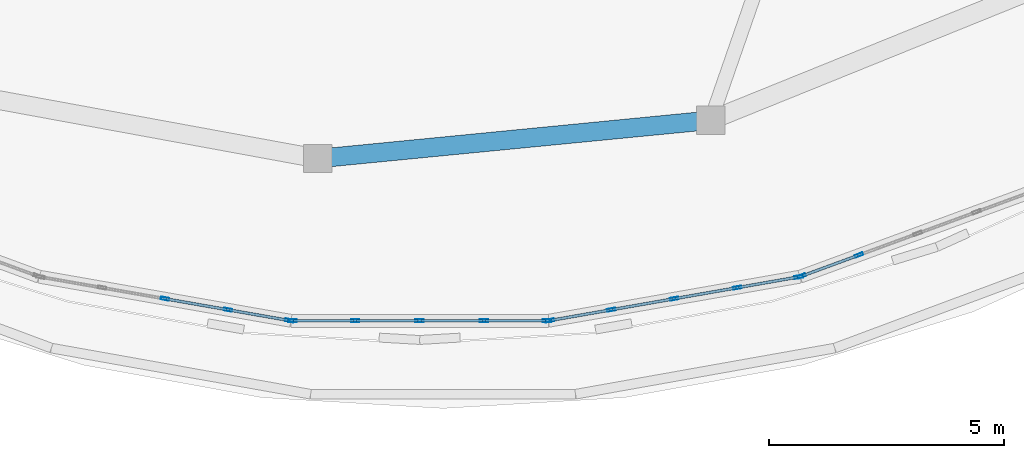
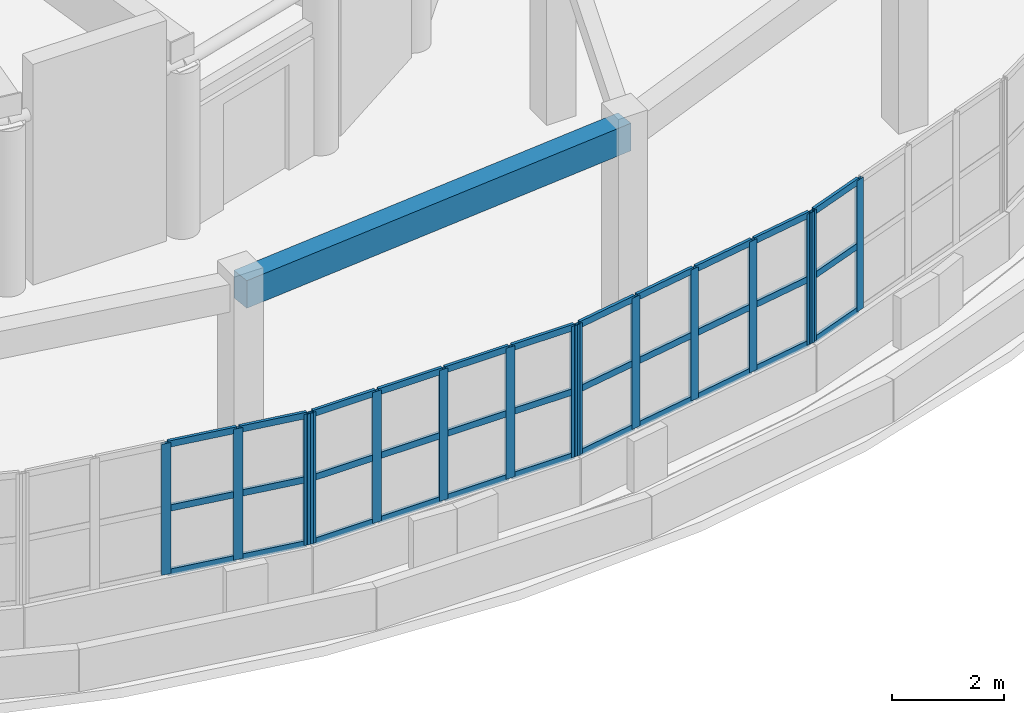
# One storey, part 13 of 69: 48 members, 1 beam, 4 elements without a shape of their own.
"""IFC4 building model written with IfcOpenShell, lengths in metres."""

from ifc_helpers import new_model, si_unit, direction, frame, origin, origin_2d, place, context, subcontext, project, spatial, rectangle, hollow_rectangle, extrude, material, layer, layer_set, material_profile, profile_set, type_object, element, aggregate, save


model = new_model("IFC4")

# Units and contexts
model_context = context("Model", 3, precision=1e-05, world=origin(), true_north=direction((0.0, 1.0)))
body_context = subcontext(model_context, "Body", "Model", "MODEL_VIEW")
ifc_project = project(units=[si_unit("LENGTHUNIT", "METRE"), si_unit("AREAUNIT", "SQUARE_METRE"), si_unit("VOLUMEUNIT", "CUBIC_METRE"), si_unit("PLANEANGLEUNIT", "RADIAN"), si_unit("MASSUNIT", "GRAM", prefix="KILO")], contexts=[model_context])

# Site, building, storey
site_placement = place(None, origin())
site = spatial("IfcSite", under=ifc_project, at=site_placement, CompositionType="ELEMENT")
building_placement = place(site_placement, origin())
building = spatial("IfcBuilding", under=site, at=building_placement, Name="Pelvatis Terrace Science Centre", CompositionType="ELEMENT")
storey_placement = place(building_placement, frame((0.0, 0.0, 15.0)))
storey = spatial("IfcBuildingStorey", under=building, at=storey_placement, Name="L03", CompositionType="ELEMENT", Elevation=15.0)

# Beam
ifc_material_1 = material(Name="Concrete C35/45", Category="concrete")
ifc_material_profile_1 = material_profile(ifc_material_1, rectangle(XDim=0.39990234375, YDim=0.60009765625, at=origin_2d()), Name="RC-BM 400x600")
ifc_profile_set_1 = profile_set([ifc_material_profile_1], Name="Concrete C35/45")
beam_type = type_object("IfcBeamType", Name="BM-RC-400x600", PredefinedType="BEAM", material=ifc_profile_set_1)
beam_placement = place(storey_placement, frame((107.92822265625, 65.926513671875, 4.25), z_axis=(0.995278325495, 0.097062118249, 0.0), x_axis=(-0.097062118249, 0.995278325495, 0.0)))
element("IfcBeam", 1, at=beam_placement, inside=storey, type_object=beam_type, Name="Beam BM-L03-3031", PredefinedType="BEAM", context=body_context, shape_type="SweptSolid", body=[
    extrude(rectangle(XDim=0.39990234375, YDim=0.60009765625, at=origin_2d()), origin(), (0.0, 0.0, 1.0), 8.416259765625),
])

# Curtain wall, members
ifc_material_2 = material(Name="Bronze-anodised aluminium and laminated glass", Category="aluminium")
ifc_layer = layer(ifc_material_2, 0.179931640625)
ifc_layer_set = layer_set([ifc_layer], Name="Bronze-anodised aluminium and laminated glass")
curtain_wall_type = type_object("IfcCurtainWallType", Name="CW-RIBBON-A", PredefinedType="NOTDEFINED", material=ifc_layer_set)
curtain_wall_1_placement = place(storey_placement, origin())
curtain_wall_1 = element("IfcCurtainWall", 2, at=curtain_wall_1_placement, inside=storey, type_object=curtain_wall_type, Name="Ribbon curtain wall CW-204 (L03)", PredefinedType="NOTDEFINED")
ifc_material_3 = material(Name="Bronze-anodised aluminium 6063-T6", Category="aluminium")
ifc_material_profile_2 = material_profile(ifc_material_3, hollow_rectangle(XDim=0.06005859375, YDim=0.179931640625, WallThickness=0.00390625, at=origin_2d()), Name="ALU-MUL 60x180")
ifc_profile_set_2 = profile_set([ifc_material_profile_2], Name="Bronze-anodised aluminium 6063-T6")
member_type_1 = type_object("IfcMemberType", Name="CWM-60x180", PredefinedType="MULLION", material=ifc_profile_set_2)
member_1_placement = place(storey_placement, frame((104.672119140625, 62.939208984375, 1.02001953125), z_axis=(0.0, 0.0, 1.0), x_axis=(0.172671428067, 0.984979480969, 0.0)))
member_1 = element("IfcMember", 3, at=member_1_placement, type_object=member_type_1, Name="CW-204 mullion 3", PredefinedType="MULLION", context=body_context, shape_type="SweptSolid", body=[
    extrude(hollow_rectangle(XDim=0.06005859375, YDim=0.179931640625, WallThickness=0.00390625, at=origin_2d()), origin(), (0.0, 0.0, 1.0), 2.85009765625),
])
member_2_placement = place(storey_placement, frame((106.01416015625, 62.703857421875, 1.02001953125), z_axis=(0.0, 0.0, 1.0), x_axis=(0.172671428067, 0.984979480969, 0.0)))
member_2 = element("IfcMember", 4, at=member_2_placement, type_object=member_type_1, Name="CW-204 mullion 4", PredefinedType="MULLION", context=body_context, shape_type="SweptSolid", body=[
    extrude(hollow_rectangle(XDim=0.06005859375, YDim=0.179931640625, WallThickness=0.00390625, at=origin_2d()), origin(), (0.0, 0.0, 1.0), 2.85009765625),
])
member_3_placement = place(storey_placement, frame((107.32666015625, 62.473876953125, 1.02001953125), z_axis=(0.0, 0.0, 1.0), x_axis=(0.172671428067, 0.984979480969, 0.0)))
member_3 = element("IfcMember", 5, at=member_3_placement, type_object=member_type_1, Name="CW-204 mullion 5", PredefinedType="MULLION", context=body_context, shape_type="SweptSolid", body=[
    extrude(hollow_rectangle(XDim=0.06005859375, YDim=0.179931640625, WallThickness=0.00390625, at=origin_2d()), origin(), (0.0, 0.0, 1.0), 2.85009765625),
])

curtain_wall_2_placement = place(storey_placement, origin())
curtain_wall_2 = element("IfcCurtainWall", 6, at=curtain_wall_2_placement, inside=storey, type_object=curtain_wall_type, Name="Ribbon curtain wall CW-205 (L03)", PredefinedType="NOTDEFINED")
member_4_placement = place(storey_placement, frame((107.385986328125, 62.468505859375, 1.02001953125), z_axis=(0.0, 0.0, 1.0), x_axis=(0.0, 1.0, 0.0)))
member_4 = element("IfcMember", 7, at=member_4_placement, type_object=member_type_1, Name="CW-205 mullion 1", PredefinedType="MULLION", context=body_context, shape_type="SweptSolid", body=[
    extrude(hollow_rectangle(XDim=0.06005859375, YDim=0.179931640625, WallThickness=0.00390625, at=origin_2d()), origin(), (0.0, 0.0, 1.0), 2.85009765625),
])
member_5_placement = place(storey_placement, frame((108.72802734375, 62.468505859375, 1.02001953125), z_axis=(0.0, 0.0, 1.0), x_axis=(0.0, 1.0, 0.0)))
member_5 = element("IfcMember", 8, at=member_5_placement, type_object=member_type_1, Name="CW-205 mullion 2", PredefinedType="MULLION", context=body_context, shape_type="SweptSolid", body=[
    extrude(hollow_rectangle(XDim=0.06005859375, YDim=0.179931640625, WallThickness=0.00390625, at=origin_2d()), origin(), (0.0, 0.0, 1.0), 2.85009765625),
])
member_6_placement = place(storey_placement, frame((110.10009765625, 62.468505859375, 1.02001953125), z_axis=(0.0, 0.0, 1.0), x_axis=(0.0, 1.0, 0.0)))
member_6 = element("IfcMember", 9, at=member_6_placement, type_object=member_type_1, Name="CW-205 mullion 3", PredefinedType="MULLION", context=body_context, shape_type="SweptSolid", body=[
    extrude(hollow_rectangle(XDim=0.06005859375, YDim=0.179931640625, WallThickness=0.00390625, at=origin_2d()), origin(), (0.0, 0.0, 1.0), 2.85009765625),
])
member_7_placement = place(storey_placement, frame((111.471923828125, 62.468505859375, 1.02001953125), z_axis=(0.0, 0.0, 1.0), x_axis=(0.0, 1.0, 0.0)))
member_7 = element("IfcMember", 10, at=member_7_placement, type_object=member_type_1, Name="CW-205 mullion 4", PredefinedType="MULLION", context=body_context, shape_type="SweptSolid", body=[
    extrude(hollow_rectangle(XDim=0.06005859375, YDim=0.179931640625, WallThickness=0.00390625, at=origin_2d()), origin(), (0.0, 0.0, 1.0), 2.85009765625),
])
member_8_placement = place(storey_placement, frame((112.81396484375, 62.468505859375, 1.02001953125), z_axis=(0.0, 0.0, 1.0), x_axis=(0.0, 1.0, 0.0)))
member_8 = element("IfcMember", 11, at=member_8_placement, type_object=member_type_1, Name="CW-205 mullion 5", PredefinedType="MULLION", context=body_context, shape_type="SweptSolid", body=[
    extrude(hollow_rectangle(XDim=0.06005859375, YDim=0.179931640625, WallThickness=0.00390625, at=origin_2d()), origin(), (0.0, 0.0, 1.0), 2.85009765625),
])

curtain_wall_3_placement = place(storey_placement, origin())
curtain_wall_3 = element("IfcCurtainWall", 12, at=curtain_wall_3_placement, inside=storey, type_object=curtain_wall_type, Name="Ribbon curtain wall CW-206 (L03)", PredefinedType="NOTDEFINED")
member_9_placement = place(storey_placement, frame((112.87353515625, 62.473876953125, 1.02001953125), z_axis=(0.0, 0.0, 1.0), x_axis=(-0.172671428067, 0.984979480969, 0.0)))
member_9 = element("IfcMember", 13, at=member_9_placement, type_object=member_type_1, Name="CW-206 mullion 1", PredefinedType="MULLION", context=body_context, shape_type="SweptSolid", body=[
    extrude(hollow_rectangle(XDim=0.06005859375, YDim=0.179931640625, WallThickness=0.00390625, at=origin_2d()), origin(), (0.0, 0.0, 1.0), 2.85009765625),
])
member_10_placement = place(storey_placement, frame((114.185791015625, 62.703857421875, 1.02001953125), z_axis=(0.0, 0.0, 1.0), x_axis=(-0.172671428067, 0.984979480969, 0.0)))
member_10 = element("IfcMember", 14, at=member_10_placement, type_object=member_type_1, Name="CW-206 mullion 2", PredefinedType="MULLION", context=body_context, shape_type="SweptSolid", body=[
    extrude(hollow_rectangle(XDim=0.06005859375, YDim=0.179931640625, WallThickness=0.00390625, at=origin_2d()), origin(), (0.0, 0.0, 1.0), 2.85009765625),
])
member_11_placement = place(storey_placement, frame((115.52783203125, 62.939208984375, 1.02001953125), z_axis=(0.0, 0.0, 1.0), x_axis=(-0.172671428067, 0.984979480969, 0.0)))
member_11 = element("IfcMember", 15, at=member_11_placement, type_object=member_type_1, Name="CW-206 mullion 3", PredefinedType="MULLION", context=body_context, shape_type="SweptSolid", body=[
    extrude(hollow_rectangle(XDim=0.06005859375, YDim=0.179931640625, WallThickness=0.00390625, at=origin_2d()), origin(), (0.0, 0.0, 1.0), 2.85009765625),
])
member_12_placement = place(storey_placement, frame((116.86962890625, 63.17431640625, 1.02001953125), z_axis=(0.0, 0.0, 1.0), x_axis=(-0.172671428067, 0.984979480969, 0.0)))
member_12 = element("IfcMember", 16, at=member_12_placement, type_object=member_type_1, Name="CW-206 mullion 4", PredefinedType="MULLION", context=body_context, shape_type="SweptSolid", body=[
    extrude(hollow_rectangle(XDim=0.06005859375, YDim=0.179931640625, WallThickness=0.00390625, at=origin_2d()), origin(), (0.0, 0.0, 1.0), 2.85009765625),
])
member_13_placement = place(storey_placement, frame((118.18212890625, 63.404541015625, 1.02001953125), z_axis=(0.0, 0.0, 1.0), x_axis=(-0.172671428067, 0.984979480969, 0.0)))
member_13 = element("IfcMember", 17, at=member_13_placement, type_object=member_type_1, Name="CW-206 mullion 5", PredefinedType="MULLION", context=body_context, shape_type="SweptSolid", body=[
    extrude(hollow_rectangle(XDim=0.06005859375, YDim=0.179931640625, WallThickness=0.00390625, at=origin_2d()), origin(), (0.0, 0.0, 1.0), 2.85009765625),
])

curtain_wall_4_placement = place(storey_placement, origin())
curtain_wall_4 = element("IfcCurtainWall", 18, at=curtain_wall_4_placement, inside=storey, type_object=curtain_wall_type, Name="Ribbon curtain wall CW-207 (L03)", PredefinedType="NOTDEFINED")
member_14_placement = place(storey_placement, frame((118.23974609375, 63.419921875, 1.02001953125), z_axis=(0.0, 0.0, 1.0), x_axis=(-0.34471510549, 0.938707353783, 0.0)))
member_14 = element("IfcMember", 19, at=member_14_placement, type_object=member_type_1, Name="CW-207 mullion 1", PredefinedType="MULLION", context=body_context, shape_type="SweptSolid", body=[
    extrude(hollow_rectangle(XDim=0.06005859375, YDim=0.179931640625, WallThickness=0.00390625, at=origin_2d()), origin(), (0.0, 0.0, 1.0), 2.85009765625),
])
member_15_placement = place(storey_placement, frame((119.465087890625, 63.869873046875, 1.02001953125), z_axis=(0.0, 0.0, 1.0), x_axis=(-0.34471510549, 0.938707353783, 0.0)))
member_15 = element("IfcMember", 20, at=member_15_placement, type_object=member_type_1, Name="CW-207 mullion 2", PredefinedType="MULLION", context=body_context, shape_type="SweptSolid", body=[
    extrude(hollow_rectangle(XDim=0.06005859375, YDim=0.179931640625, WallThickness=0.00390625, at=origin_2d()), origin(), (0.0, 0.0, 1.0), 2.85009765625),
])

# Member
ifc_material_4 = material(Name="Bronze-anodised aluminium 6063-T6", Category="aluminium")
ifc_material_profile_3 = material_profile(ifc_material_4, hollow_rectangle(XDim=0.06005859375, YDim=0.139892578125, WallThickness=0.00390625, at=origin_2d()), Name="ALU-TRN 60x140")
ifc_profile_set_3 = profile_set([ifc_material_profile_3], Name="Bronze-anodised aluminium 6063-T6")
member_type_2 = type_object("IfcMemberType", Name="CWT-60x140", PredefinedType="USERDEFINED", material=ifc_profile_set_3)
member_16_placement = place(storey_placement, frame((104.70166015625, 62.933837890625, 1.050048828125), z_axis=(0.984986673358, -0.172630395083, 0.0), x_axis=(0.172630395083, 0.984986673358, 0.0)))
member_16 = element("IfcMember", 21, at=member_16_placement, type_object=member_type_2, Name="CW-204 transom 3.1", ObjectType="TRANSOM", PredefinedType="USERDEFINED", context=body_context, shape_type="SweptSolid", body=[
    extrude(hollow_rectangle(XDim=0.06005859375, YDim=0.139892578125, WallThickness=0.00390625, at=origin_2d()), origin(), (0.0, 0.0, 1.0), 1.302490234375),
])

member_17_placement = place(storey_placement, frame((104.70166015625, 62.933837890625, 2.445068359375), z_axis=(0.984986673358, -0.172630395083, 0.0), x_axis=(0.172630395083, 0.984986673358, 0.0)))
member_17 = element("IfcMember", 22, at=member_17_placement, type_object=member_type_2, Name="CW-204 transom 3.2", ObjectType="TRANSOM", PredefinedType="USERDEFINED", context=body_context, shape_type="SweptSolid", body=[
    extrude(hollow_rectangle(XDim=0.06005859375, YDim=0.139892578125, WallThickness=0.00390625, at=origin_2d()), origin(), (0.0, 0.0, 1.0), 1.302490234375),
])

member_18_placement = place(storey_placement, frame((104.70166015625, 62.933837890625, 3.840087890625), z_axis=(0.984986673358, -0.172630395083, 0.0), x_axis=(0.172630395083, 0.984986673358, 0.0)))
member_18 = element("IfcMember", 23, at=member_18_placement, type_object=member_type_2, Name="CW-204 transom 3.3", ObjectType="TRANSOM", PredefinedType="USERDEFINED", context=body_context, shape_type="SweptSolid", body=[
    extrude(hollow_rectangle(XDim=0.06005859375, YDim=0.139892578125, WallThickness=0.00390625, at=origin_2d()), origin(), (0.0, 0.0, 1.0), 1.302490234375),
])

member_19_placement = place(storey_placement, frame((106.043701171875, 62.69873046875, 1.050048828125), z_axis=(0.984979930801, -0.172668862042, 0.0), x_axis=(0.172668862042, 0.984979930801, 0.0)))
member_19 = element("IfcMember", 24, at=member_19_placement, type_object=member_type_2, Name="CW-204 transom 4.1", ObjectType="TRANSOM", PredefinedType="USERDEFINED", context=body_context, shape_type="SweptSolid", body=[
    extrude(hollow_rectangle(XDim=0.06005859375, YDim=0.139892578125, WallThickness=0.00390625, at=origin_2d()), origin(), (0.0, 0.0, 1.0), 1.2724609375),
])

member_20_placement = place(storey_placement, frame((106.043701171875, 62.69873046875, 2.445068359375), z_axis=(0.984979930801, -0.172668862042, 0.0), x_axis=(0.172668862042, 0.984979930801, 0.0)))
member_20 = element("IfcMember", 25, at=member_20_placement, type_object=member_type_2, Name="CW-204 transom 4.2", ObjectType="TRANSOM", PredefinedType="USERDEFINED", context=body_context, shape_type="SweptSolid", body=[
    extrude(hollow_rectangle(XDim=0.06005859375, YDim=0.139892578125, WallThickness=0.00390625, at=origin_2d()), origin(), (0.0, 0.0, 1.0), 1.2724609375),
])

member_21_placement = place(storey_placement, frame((106.043701171875, 62.69873046875, 3.840087890625), z_axis=(0.984979930801, -0.172668862042, 0.0), x_axis=(0.172668862042, 0.984979930801, 0.0)))
member_21 = element("IfcMember", 26, at=member_21_placement, type_object=member_type_2, Name="CW-204 transom 4.3", ObjectType="TRANSOM", PredefinedType="USERDEFINED", context=body_context, shape_type="SweptSolid", body=[
    extrude(hollow_rectangle(XDim=0.06005859375, YDim=0.139892578125, WallThickness=0.00390625, at=origin_2d()), origin(), (0.0, 0.0, 1.0), 1.2724609375),
])

aggregate(curtain_wall_1, [member_1, member_2, member_3, member_16, member_17, member_18, member_19, member_20, member_21])

member_22_placement = place(storey_placement, frame((107.416015625, 62.468505859375, 1.050048828125), z_axis=(1.0, 0.0, 0.0), x_axis=(0.0, 1.0, 0.0)))
member_22 = element("IfcMember", 27, at=member_22_placement, type_object=member_type_2, Name="CW-205 transom 1.1", ObjectType="TRANSOM", PredefinedType="USERDEFINED", context=body_context, shape_type="SweptSolid", body=[
    extrude(hollow_rectangle(XDim=0.06005859375, YDim=0.139892578125, WallThickness=0.00390625, at=origin_2d()), origin(), (0.0, 0.0, 1.0), 1.281982421875),
])

member_23_placement = place(storey_placement, frame((107.416015625, 62.468505859375, 2.445068359375), z_axis=(1.0, 0.0, 0.0), x_axis=(0.0, 1.0, 0.0)))
member_23 = element("IfcMember", 28, at=member_23_placement, type_object=member_type_2, Name="CW-205 transom 1.2", ObjectType="TRANSOM", PredefinedType="USERDEFINED", context=body_context, shape_type="SweptSolid", body=[
    extrude(hollow_rectangle(XDim=0.06005859375, YDim=0.139892578125, WallThickness=0.00390625, at=origin_2d()), origin(), (0.0, 0.0, 1.0), 1.281982421875),
])

member_24_placement = place(storey_placement, frame((107.416015625, 62.468505859375, 3.840087890625), z_axis=(1.0, 0.0, 0.0), x_axis=(0.0, 1.0, 0.0)))
member_24 = element("IfcMember", 29, at=member_24_placement, type_object=member_type_2, Name="CW-205 transom 1.3", ObjectType="TRANSOM", PredefinedType="USERDEFINED", context=body_context, shape_type="SweptSolid", body=[
    extrude(hollow_rectangle(XDim=0.06005859375, YDim=0.139892578125, WallThickness=0.00390625, at=origin_2d()), origin(), (0.0, 0.0, 1.0), 1.281982421875),
])

member_25_placement = place(storey_placement, frame((108.758056640625, 62.468505859375, 1.050048828125), z_axis=(1.0, 0.0, 0.0), x_axis=(0.0, 1.0, 0.0)))
member_25 = element("IfcMember", 30, at=member_25_placement, type_object=member_type_2, Name="CW-205 transom 2.1", ObjectType="TRANSOM", PredefinedType="USERDEFINED", context=body_context, shape_type="SweptSolid", body=[
    extrude(hollow_rectangle(XDim=0.06005859375, YDim=0.139892578125, WallThickness=0.00390625, at=origin_2d()), origin(), (0.0, 0.0, 1.0), 1.31201171875),
])

member_26_placement = place(storey_placement, frame((108.758056640625, 62.468505859375, 2.445068359375), z_axis=(1.0, 0.0, 0.0), x_axis=(0.0, 1.0, 0.0)))
member_26 = element("IfcMember", 31, at=member_26_placement, type_object=member_type_2, Name="CW-205 transom 2.2", ObjectType="TRANSOM", PredefinedType="USERDEFINED", context=body_context, shape_type="SweptSolid", body=[
    extrude(hollow_rectangle(XDim=0.06005859375, YDim=0.139892578125, WallThickness=0.00390625, at=origin_2d()), origin(), (0.0, 0.0, 1.0), 1.31201171875),
])

member_27_placement = place(storey_placement, frame((108.758056640625, 62.468505859375, 3.840087890625), z_axis=(1.0, 0.0, 0.0), x_axis=(0.0, 1.0, 0.0)))
member_27 = element("IfcMember", 32, at=member_27_placement, type_object=member_type_2, Name="CW-205 transom 2.3", ObjectType="TRANSOM", PredefinedType="USERDEFINED", context=body_context, shape_type="SweptSolid", body=[
    extrude(hollow_rectangle(XDim=0.06005859375, YDim=0.139892578125, WallThickness=0.00390625, at=origin_2d()), origin(), (0.0, 0.0, 1.0), 1.31201171875),
])

member_28_placement = place(storey_placement, frame((110.1298828125, 62.468505859375, 1.050048828125), z_axis=(1.0, 0.0, 0.0), x_axis=(0.0, 1.0, 0.0)))
member_28 = element("IfcMember", 33, at=member_28_placement, type_object=member_type_2, Name="CW-205 transom 3.1", ObjectType="TRANSOM", PredefinedType="USERDEFINED", context=body_context, shape_type="SweptSolid", body=[
    extrude(hollow_rectangle(XDim=0.06005859375, YDim=0.139892578125, WallThickness=0.00390625, at=origin_2d()), origin(), (0.0, 0.0, 1.0), 1.31201171875),
])

member_29_placement = place(storey_placement, frame((110.1298828125, 62.468505859375, 2.445068359375), z_axis=(1.0, 0.0, 0.0), x_axis=(0.0, 1.0, 0.0)))
member_29 = element("IfcMember", 34, at=member_29_placement, type_object=member_type_2, Name="CW-205 transom 3.2", ObjectType="TRANSOM", PredefinedType="USERDEFINED", context=body_context, shape_type="SweptSolid", body=[
    extrude(hollow_rectangle(XDim=0.06005859375, YDim=0.139892578125, WallThickness=0.00390625, at=origin_2d()), origin(), (0.0, 0.0, 1.0), 1.31201171875),
])

member_30_placement = place(storey_placement, frame((110.1298828125, 62.468505859375, 3.840087890625), z_axis=(1.0, 0.0, 0.0), x_axis=(0.0, 1.0, 0.0)))
member_30 = element("IfcMember", 35, at=member_30_placement, type_object=member_type_2, Name="CW-205 transom 3.3", ObjectType="TRANSOM", PredefinedType="USERDEFINED", context=body_context, shape_type="SweptSolid", body=[
    extrude(hollow_rectangle(XDim=0.06005859375, YDim=0.139892578125, WallThickness=0.00390625, at=origin_2d()), origin(), (0.0, 0.0, 1.0), 1.31201171875),
])

member_31_placement = place(storey_placement, frame((111.501953125, 62.468505859375, 1.050048828125), z_axis=(1.0, 0.0, 0.0), x_axis=(0.0, 1.0, 0.0)))
member_31 = element("IfcMember", 36, at=member_31_placement, type_object=member_type_2, Name="CW-205 transom 4.1", ObjectType="TRANSOM", PredefinedType="USERDEFINED", context=body_context, shape_type="SweptSolid", body=[
    extrude(hollow_rectangle(XDim=0.06005859375, YDim=0.139892578125, WallThickness=0.00390625, at=origin_2d()), origin(), (0.0, 0.0, 1.0), 1.281982421875),
])

member_32_placement = place(storey_placement, frame((111.501953125, 62.468505859375, 2.445068359375), z_axis=(1.0, 0.0, 0.0), x_axis=(0.0, 1.0, 0.0)))
member_32 = element("IfcMember", 37, at=member_32_placement, type_object=member_type_2, Name="CW-205 transom 4.2", ObjectType="TRANSOM", PredefinedType="USERDEFINED", context=body_context, shape_type="SweptSolid", body=[
    extrude(hollow_rectangle(XDim=0.06005859375, YDim=0.139892578125, WallThickness=0.00390625, at=origin_2d()), origin(), (0.0, 0.0, 1.0), 1.281982421875),
])

member_33_placement = place(storey_placement, frame((111.501953125, 62.468505859375, 3.840087890625), z_axis=(1.0, 0.0, 0.0), x_axis=(0.0, 1.0, 0.0)))
member_33 = element("IfcMember", 38, at=member_33_placement, type_object=member_type_2, Name="CW-205 transom 4.3", ObjectType="TRANSOM", PredefinedType="USERDEFINED", context=body_context, shape_type="SweptSolid", body=[
    extrude(hollow_rectangle(XDim=0.06005859375, YDim=0.139892578125, WallThickness=0.00390625, at=origin_2d()), origin(), (0.0, 0.0, 1.0), 1.281982421875),
])

aggregate(curtain_wall_2, [member_4, member_5, member_6, member_7, member_8, member_22, member_23, member_24, member_25, member_26, member_27, member_28, member_29, member_30, member_31, member_32, member_33])

member_34_placement = place(storey_placement, frame((112.903076171875, 62.47900390625, 1.050048828125), z_axis=(0.984974209133, 0.172701497802, 0.0), x_axis=(-0.172701497802, 0.984974209133, 0.0)))
member_34 = element("IfcMember", 39, at=member_34_placement, type_object=member_type_2, Name="CW-206 transom 1.1", ObjectType="TRANSOM", PredefinedType="USERDEFINED", context=body_context, shape_type="SweptSolid", body=[
    extrude(hollow_rectangle(XDim=0.06005859375, YDim=0.139892578125, WallThickness=0.00390625, at=origin_2d()), origin(), (0.0, 0.0, 1.0), 1.272216796875),
])

member_35_placement = place(storey_placement, frame((112.903076171875, 62.47900390625, 2.445068359375), z_axis=(0.984974209133, 0.172701497802, 0.0), x_axis=(-0.172701497802, 0.984974209133, 0.0)))
member_35 = element("IfcMember", 40, at=member_35_placement, type_object=member_type_2, Name="CW-206 transom 1.2", ObjectType="TRANSOM", PredefinedType="USERDEFINED", context=body_context, shape_type="SweptSolid", body=[
    extrude(hollow_rectangle(XDim=0.06005859375, YDim=0.139892578125, WallThickness=0.00390625, at=origin_2d()), origin(), (0.0, 0.0, 1.0), 1.272216796875),
])

member_36_placement = place(storey_placement, frame((112.903076171875, 62.47900390625, 3.840087890625), z_axis=(0.984974209133, 0.172701497802, 0.0), x_axis=(-0.172701497802, 0.984974209133, 0.0)))
member_36 = element("IfcMember", 41, at=member_36_placement, type_object=member_type_2, Name="CW-206 transom 1.3", ObjectType="TRANSOM", PredefinedType="USERDEFINED", context=body_context, shape_type="SweptSolid", body=[
    extrude(hollow_rectangle(XDim=0.06005859375, YDim=0.139892578125, WallThickness=0.00390625, at=origin_2d()), origin(), (0.0, 0.0, 1.0), 1.272216796875),
])

member_37_placement = place(storey_placement, frame((114.21533203125, 62.708984375, 1.050048828125), z_axis=(0.984986673358, 0.172630395083, 0.0), x_axis=(-0.172630395083, 0.984986673358, 0.0)))
member_37 = element("IfcMember", 42, at=member_37_placement, type_object=member_type_2, Name="CW-206 transom 2.1", ObjectType="TRANSOM", PredefinedType="USERDEFINED", context=body_context, shape_type="SweptSolid", body=[
    extrude(hollow_rectangle(XDim=0.06005859375, YDim=0.139892578125, WallThickness=0.00390625, at=origin_2d()), origin(), (0.0, 0.0, 1.0), 1.302490234375),
])

member_38_placement = place(storey_placement, frame((114.21533203125, 62.708984375, 2.445068359375), z_axis=(0.984986673358, 0.172630395083, 0.0), x_axis=(-0.172630395083, 0.984986673358, 0.0)))
member_38 = element("IfcMember", 43, at=member_38_placement, type_object=member_type_2, Name="CW-206 transom 2.2", ObjectType="TRANSOM", PredefinedType="USERDEFINED", context=body_context, shape_type="SweptSolid", body=[
    extrude(hollow_rectangle(XDim=0.06005859375, YDim=0.139892578125, WallThickness=0.00390625, at=origin_2d()), origin(), (0.0, 0.0, 1.0), 1.302490234375),
])

member_39_placement = place(storey_placement, frame((114.21533203125, 62.708984375, 3.840087890625), z_axis=(0.984986673358, 0.172630395083, 0.0), x_axis=(-0.172630395083, 0.984986673358, 0.0)))
member_39 = element("IfcMember", 44, at=member_39_placement, type_object=member_type_2, Name="CW-206 transom 2.3", ObjectType="TRANSOM", PredefinedType="USERDEFINED", context=body_context, shape_type="SweptSolid", body=[
    extrude(hollow_rectangle(XDim=0.06005859375, YDim=0.139892578125, WallThickness=0.00390625, at=origin_2d()), origin(), (0.0, 0.0, 1.0), 1.302490234375),
])

member_40_placement = place(storey_placement, frame((115.557373046875, 62.9443359375, 1.050048828125), z_axis=(0.984981085924, 0.17266227258, 0.0), x_axis=(-0.17266227258, 0.984981085924, 0.0)))
member_40 = element("IfcMember", 45, at=member_40_placement, type_object=member_type_2, Name="CW-206 transom 3.1", ObjectType="TRANSOM", PredefinedType="USERDEFINED", context=body_context, shape_type="SweptSolid", body=[
    extrude(hollow_rectangle(XDim=0.06005859375, YDim=0.139892578125, WallThickness=0.00390625, at=origin_2d()), origin(), (0.0, 0.0, 1.0), 1.30224609375),
])

member_41_placement = place(storey_placement, frame((115.557373046875, 62.9443359375, 2.445068359375), z_axis=(0.984981085924, 0.17266227258, 0.0), x_axis=(-0.17266227258, 0.984981085924, 0.0)))
member_41 = element("IfcMember", 46, at=member_41_placement, type_object=member_type_2, Name="CW-206 transom 3.2", ObjectType="TRANSOM", PredefinedType="USERDEFINED", context=body_context, shape_type="SweptSolid", body=[
    extrude(hollow_rectangle(XDim=0.06005859375, YDim=0.139892578125, WallThickness=0.00390625, at=origin_2d()), origin(), (0.0, 0.0, 1.0), 1.30224609375),
])

member_42_placement = place(storey_placement, frame((115.557373046875, 62.9443359375, 3.840087890625), z_axis=(0.984981085924, 0.17266227258, 0.0), x_axis=(-0.17266227258, 0.984981085924, 0.0)))
member_42 = element("IfcMember", 47, at=member_42_placement, type_object=member_type_2, Name="CW-206 transom 3.3", ObjectType="TRANSOM", PredefinedType="USERDEFINED", context=body_context, shape_type="SweptSolid", body=[
    extrude(hollow_rectangle(XDim=0.06005859375, YDim=0.139892578125, WallThickness=0.00390625, at=origin_2d()), origin(), (0.0, 0.0, 1.0), 1.30224609375),
])

member_43_placement = place(storey_placement, frame((116.8994140625, 63.179443359375, 1.050048828125), z_axis=(0.984974209133, 0.172701497802, 0.0), x_axis=(-0.172701497802, 0.984974209133, 0.0)))
member_43 = element("IfcMember", 48, at=member_43_placement, type_object=member_type_2, Name="CW-206 transom 4.1", ObjectType="TRANSOM", PredefinedType="USERDEFINED", context=body_context, shape_type="SweptSolid", body=[
    extrude(hollow_rectangle(XDim=0.06005859375, YDim=0.139892578125, WallThickness=0.00390625, at=origin_2d()), origin(), (0.0, 0.0, 1.0), 1.272216796875),
])

member_44_placement = place(storey_placement, frame((116.8994140625, 63.179443359375, 2.445068359375), z_axis=(0.984974209133, 0.172701497802, 0.0), x_axis=(-0.172701497802, 0.984974209133, 0.0)))
member_44 = element("IfcMember", 49, at=member_44_placement, type_object=member_type_2, Name="CW-206 transom 4.2", ObjectType="TRANSOM", PredefinedType="USERDEFINED", context=body_context, shape_type="SweptSolid", body=[
    extrude(hollow_rectangle(XDim=0.06005859375, YDim=0.139892578125, WallThickness=0.00390625, at=origin_2d()), origin(), (0.0, 0.0, 1.0), 1.272216796875),
])

member_45_placement = place(storey_placement, frame((116.8994140625, 63.179443359375, 3.840087890625), z_axis=(0.984974209133, 0.172701497802, 0.0), x_axis=(-0.172701497802, 0.984974209133, 0.0)))
member_45 = element("IfcMember", 50, at=member_45_placement, type_object=member_type_2, Name="CW-206 transom 4.3", ObjectType="TRANSOM", PredefinedType="USERDEFINED", context=body_context, shape_type="SweptSolid", body=[
    extrude(hollow_rectangle(XDim=0.06005859375, YDim=0.139892578125, WallThickness=0.00390625, at=origin_2d()), origin(), (0.0, 0.0, 1.0), 1.272216796875),
])

aggregate(curtain_wall_3, [member_9, member_10, member_11, member_12, member_13, member_34, member_35, member_36, member_37, member_38, member_39, member_40, member_41, member_42, member_43, member_44, member_45])

member_46_placement = place(storey_placement, frame((118.26806640625, 63.43017578125, 1.050048828125), z_axis=(0.938637375111, 0.344905607441, 0.0), x_axis=(-0.344905607441, 0.938637375111, 0.0)))
member_46 = element("IfcMember", 51, at=member_46_placement, type_object=member_type_2, Name="CW-207 transom 1.1", ObjectType="TRANSOM", PredefinedType="USERDEFINED", context=body_context, shape_type="SweptSolid", body=[
    extrude(hollow_rectangle(XDim=0.06005859375, YDim=0.139892578125, WallThickness=0.00390625, at=origin_2d()), origin(), (0.0, 0.0, 1.0), 1.2451171875),
])

member_47_placement = place(storey_placement, frame((118.26806640625, 63.43017578125, 2.445068359375), z_axis=(0.938637375111, 0.344905607441, 0.0), x_axis=(-0.344905607441, 0.938637375111, 0.0)))
member_47 = element("IfcMember", 52, at=member_47_placement, type_object=member_type_2, Name="CW-207 transom 1.2", ObjectType="TRANSOM", PredefinedType="USERDEFINED", context=body_context, shape_type="SweptSolid", body=[
    extrude(hollow_rectangle(XDim=0.06005859375, YDim=0.139892578125, WallThickness=0.00390625, at=origin_2d()), origin(), (0.0, 0.0, 1.0), 1.2451171875),
])

member_48_placement = place(storey_placement, frame((118.26806640625, 63.43017578125, 3.840087890625), z_axis=(0.938637375111, 0.344905607441, 0.0), x_axis=(-0.344905607441, 0.938637375111, 0.0)))
member_48 = element("IfcMember", 53, at=member_48_placement, type_object=member_type_2, Name="CW-207 transom 1.3", ObjectType="TRANSOM", PredefinedType="USERDEFINED", context=body_context, shape_type="SweptSolid", body=[
    extrude(hollow_rectangle(XDim=0.06005859375, YDim=0.139892578125, WallThickness=0.00390625, at=origin_2d()), origin(), (0.0, 0.0, 1.0), 1.2451171875),
])

aggregate(curtain_wall_4, [member_14, member_15, member_46, member_47, member_48])

save(model, "model.ifc")
